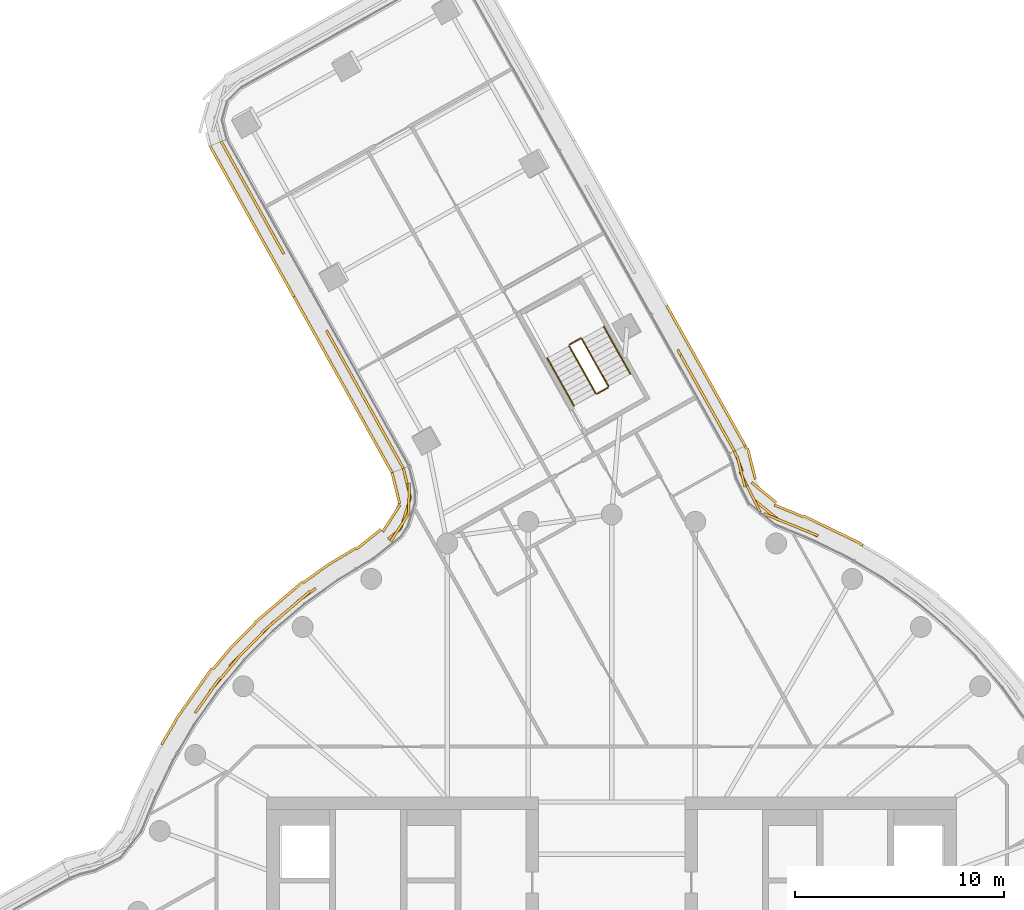
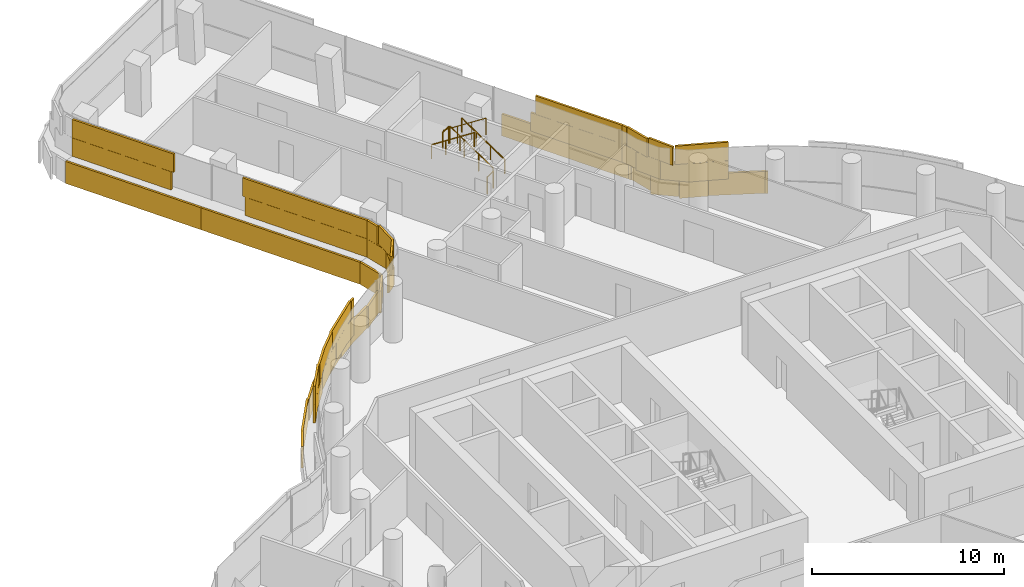
# One storey, part 33 of 34: 6 railings, 5 coverings.
"""IFC4 building model written with IfcOpenShell, lengths in metres."""

from ifc_helpers import new_model, si_unit, direction, frame, origin, origin_2d, place, context, subcontext, project, spatial, rectangle, circle, extrude, material, layer, layer_set, type_object, element, save


model = new_model("IFC4")

# Units and contexts
model_context = context("Model", 3, precision=1e-05, world=origin(), true_north=direction((0.0, 1.0)))
body_context = subcontext(model_context, "Body", "Model", "MODEL_VIEW")
ifc_project = project(units=[si_unit("LENGTHUNIT", "METRE"), si_unit("AREAUNIT", "SQUARE_METRE"), si_unit("VOLUMEUNIT", "CUBIC_METRE"), si_unit("PLANEANGLEUNIT", "RADIAN"), si_unit("MASSUNIT", "GRAM", prefix="KILO")], contexts=[model_context])

# Site, building, storey
site_placement = place(None, origin())
site = spatial("IfcSite", under=ifc_project, at=site_placement, CompositionType="ELEMENT")
building_placement = place(site_placement, origin())
building = spatial("IfcBuilding", under=site, at=building_placement, Name="Tamarind Cross Interchange Tower", CompositionType="ELEMENT")
storey_placement = place(building_placement, frame((0.0, 0.0, 140.5)))
storey = spatial("IfcBuildingStorey", under=building, at=storey_placement, Name="L34", CompositionType="ELEMENT", Elevation=140.5)

# Railings
ifc_material_1 = material(Name="Stair guard")
railing_type_1 = type_object("IfcRailingType", Name="Stair guard", PredefinedType="GUARDRAIL", material=ifc_material_1)
railing_1_placement = place(storey_placement, frame((-0.156005859375, 29.133544921875, 0.17041015625)))
element("IfcRailing", 1, at=railing_1_placement, inside=storey, type_object=railing_type_1, Name="L34 ST4 stair guard 1", PredefinedType="GUARDRAIL", context=body_context, shape_type="SweptSolid", body=[
    extrude(circle(Radius=0.02392578125, at=origin_2d()), frame((0.0, 0.0, 1.076171875), z_axis=(-0.408648978239, 0.729663010338, 0.54826809494), x_axis=(-0.872486801363, -0.488637679111, 0.0)), (0.0, 0.0, 1.0), 3.109130859375),
    extrude(circle(Radius=0.02099609375, at=origin_2d()), origin(), (0.0, 0.0, 1.0), 1.052001953125),
    extrude(circle(Radius=0.02099609375, at=origin_2d()), frame((-0.423583984375, 0.756103515625, 0.568115234375)), (0.0, 0.0, 1.0), 1.052001953125),
    extrude(circle(Radius=0.02099609375, at=origin_2d()), frame((-0.846923828125, 1.512451171875, 1.136474609375)), (0.0, 0.0, 1.0), 1.052001953125),
    extrude(circle(Radius=0.02099609375, at=origin_2d()), frame((-1.2705078125, 2.2685546875, 1.70458984375)), (0.0, 0.0, 1.0), 1.052001953125),
])
railing_2_placement = place(storey_placement, frame((-1.49462890625, 31.421142578125, 1.875)))
element("IfcRailing", 2, at=railing_2_placement, inside=storey, type_object=railing_type_1, Name="L34 ST4 stair guard 2", PredefinedType="GUARDRAIL", context=body_context, shape_type="SweptSolid", body=[
    extrude(circle(Radius=0.02392578125, at=origin_2d()), frame((0.0, 0.0, 1.076171875), z_axis=(-0.872443557744, -0.488714884725, 0.0), x_axis=(0.488714884725, -0.872443557744, 0.0)), (0.0, 0.0, 1.0), 0.599853515625),
    extrude(circle(Radius=0.02099609375, at=origin_2d()), origin(), (0.0, 0.0, 1.0), 1.052001953125),
    extrude(circle(Radius=0.02099609375, at=origin_2d()), frame((-0.5234375, -0.293212890625, 0.0)), (0.0, 0.0, 1.0), 1.052001953125),
])
railing_3_placement = place(storey_placement, frame((-2.037353515625, 31.059814453125, 2.04541015625)))
element("IfcRailing", 3, at=railing_3_placement, inside=storey, type_object=railing_type_1, Name="L34 ST4 stair guard 3", PredefinedType="GUARDRAIL", context=body_context, shape_type="SweptSolid", body=[
    extrude(circle(Radius=0.02392578125, at=origin_2d()), frame((0.0, 0.0, 1.076171875), z_axis=(0.408737805219, -0.72960287191, 0.548281912784), x_axis=(0.872424341696, 0.488749187227, 0.0)), (0.0, 0.0, 1.0), 3.10888671875),
    extrude(circle(Radius=0.02099609375, at=origin_2d()), origin(), (0.0, 0.0, 1.0), 1.052001953125),
    extrude(circle(Radius=0.02099609375, at=origin_2d()), frame((0.423583984375, -0.756103515625, 0.568115234375)), (0.0, 0.0, 1.0), 1.052001953125),
    extrude(circle(Radius=0.02099609375, at=origin_2d()), frame((0.84716796875, -1.51220703125, 1.136474609375)), (0.0, 0.0, 1.0), 1.052001953125),
    extrude(circle(Radius=0.02099609375, at=origin_2d()), frame((1.270751953125, -2.268310546875, 1.70458984375)), (0.0, 0.0, 1.0), 1.052001953125),
])
railing_4_placement = place(storey_placement, frame((-0.17529296875, 29.0654296875, 0.0)))
element("IfcRailing", 4, at=railing_4_placement, inside=storey, type_object=railing_type_1, Name="L34 ST4 stair guard 4", PredefinedType="GUARDRAIL", context=body_context, shape_type="SweptSolid", body=[
    extrude(circle(Radius=0.02392578125, at=origin_2d()), frame((0.0, 0.0, 1.076171875), z_axis=(-0.872443557744, -0.488714884725, 0.0), x_axis=(0.488714884725, -0.872443557744, 0.0)), (0.0, 0.0, 1.0), 0.599853515625),
    extrude(circle(Radius=0.02099609375, at=origin_2d()), origin(), (0.0, 0.0, 1.0), 1.052001953125),
    extrude(circle(Radius=0.02099609375, at=origin_2d()), frame((-0.5234375, -0.293212890625, 0.0)), (0.0, 0.0, 1.0), 1.052001953125),
])
ifc_material_2 = material(Name="Stair handrail")
railing_type_2 = type_object("IfcRailingType", Name="Stair handrail", PredefinedType="HANDRAIL", material=ifc_material_2)
railing_5_placement = place(storey_placement, frame((0.890869140625, 29.719970703125, 0.17041015625)))
element("IfcRailing", 5, at=railing_5_placement, inside=storey, type_object=railing_type_2, Name="L34 ST4 stair handrail 1", PredefinedType="HANDRAIL", context=body_context, shape_type="SweptSolid", body=[
    extrude(circle(Radius=0.02392578125, at=origin_2d()), frame((0.0, 0.0, 0.8759765625), z_axis=(-0.408648978239, 0.729663010338, 0.54826809494), x_axis=(-0.872486801363, -0.488637679111, 0.0)), (0.0, 0.0, 1.0), 3.109130859375),
    extrude(circle(Radius=0.02099609375, at=origin_2d()), origin(), (0.0, 0.0, 1.0), 0.851806640625),
    extrude(circle(Radius=0.02099609375, at=origin_2d()), frame((-0.423583984375, 0.756103515625, 0.568115234375)), (0.0, 0.0, 1.0), 0.851806640625),
    extrude(circle(Radius=0.02099609375, at=origin_2d()), frame((-0.846923828125, 1.512451171875, 1.136474609375)), (0.0, 0.0, 1.0), 0.851806640625),
    extrude(circle(Radius=0.02099609375, at=origin_2d()), frame((-1.2705078125, 2.2685546875, 1.70458984375)), (0.0, 0.0, 1.0), 0.851806640625),
])
railing_6_placement = place(storey_placement, frame((-3.084228515625, 30.473388671875, 2.04541015625)))
element("IfcRailing", 6, at=railing_6_placement, inside=storey, type_object=railing_type_2, Name="L34 ST4 stair handrail 2", PredefinedType="HANDRAIL", context=body_context, shape_type="SweptSolid", body=[
    extrude(circle(Radius=0.02392578125, at=origin_2d()), frame((0.0, 0.0, 0.8759765625), z_axis=(0.408672393545, -0.72962628909, 0.548299510325), x_axis=(0.87246437923, 0.488677712788, 0.0)), (0.0, 0.0, 1.0), 3.10888671875),
    extrude(circle(Radius=0.02099609375, at=origin_2d()), origin(), (0.0, 0.0, 1.0), 0.851806640625),
    extrude(circle(Radius=0.02099609375, at=origin_2d()), frame((0.423583984375, -0.756103515625, 0.568115234375)), (0.0, 0.0, 1.0), 0.851806640625),
    extrude(circle(Radius=0.02099609375, at=origin_2d()), frame((0.846923828125, -1.51220703125, 1.136474609375)), (0.0, 0.0, 1.0), 0.851806640625),
    extrude(circle(Radius=0.02099609375, at=origin_2d()), frame((1.2705078125, -2.268310546875, 1.70458984375)), (0.0, 0.0, 1.0), 0.851806640625),
])

# Coverings
ifc_material_3 = material(Name="Terracotta", Category="masonry")
ifc_layer = layer(ifc_material_3, 0.1201171875)
ifc_layer_set = layer_set([ifc_layer], Name="Terracotta")
covering_type = type_object("IfcCoveringType", Name="Terracotta baguette screen unit", PredefinedType="MOLDING", material=ifc_layer_set)
covering_1_placement = place(storey_placement, origin())
element("IfcCovering", 7, at=covering_1_placement, inside=storey, type_object=covering_type, Name="SCR-L34-10-01", PredefinedType="MOLDING", context=body_context, shape_type="SweptSolid", body=[
    extrude(rectangle(XDim=0.543701171875, YDim=0.1201171875, at=origin_2d()), frame((9.613037109375, 22.0830078125, 1.404052734375), z_axis=(0.0, 0.0, 1.0), x_axis=(-0.900272776334, 0.435326231914, 0.0)), (0.0, 0.0, 1.0), 1.1669921875),
    extrude(rectangle(XDim=1.52001953125, YDim=0.1201171875, at=origin_2d()), frame((8.672607421875, 22.469482421875, 1.404052734375), z_axis=(0.0, 0.0, 1.0), x_axis=(-0.925708802413, 0.378236980126, 0.0)), (0.0, 0.0, 1.0), 1.1669921875),
    extrude(rectangle(XDim=1.52001953125, YDim=0.1201171875, at=origin_2d()), frame((7.392822265625, 23.220458984375, 1.404052734375), z_axis=(0.0, 0.0, 1.0), x_axis=(-0.776369102739, 0.630278522807, 0.0)), (0.0, 0.0, 1.0), 1.1669921875),
    extrude(rectangle(XDim=1.52001953125, YDim=0.1201171875, at=origin_2d()), frame((6.47509765625, 24.3642578125, 1.404052734375), z_axis=(0.0, 0.0, 1.0), x_axis=(-0.448045105365, 0.894010952706, 0.0)), (0.0, 0.0, 1.0), 1.1669921875),
    extrude(rectangle(XDim=1.04443359375, YDim=0.1201171875, at=origin_2d()), frame((6.05859375, 25.553466796875, 1.404052734375), z_axis=(0.0, 0.0, 1.0), x_axis=(-0.37062876387, 0.928781093365, 0.0)), (0.0, 0.0, 1.0), 1.1669921875),
    extrude(rectangle(XDim=1.293701171875, YDim=0.1201171875, at=origin_2d()), frame((9.266845703125, 22.226806640625, 2.5791015625), z_axis=(0.0, 0.0, 1.0), x_axis=(-0.925708802413, 0.378236980126, 0.0)), (0.0, 0.0, 1.0), 1.1669921875),
    extrude(rectangle(XDim=1.52001953125, YDim=0.1201171875, at=origin_2d()), frame((7.978271484375, 22.753173828125, 2.5791015625), z_axis=(0.0, 0.0, 1.0), x_axis=(-0.925708802413, 0.378236980126, 0.0)), (0.0, 0.0, 1.0), 1.1669921875),
    extrude(rectangle(XDim=1.52001953125, YDim=0.1201171875, at=origin_2d()), frame((6.811279296875, 23.693603515625, 2.5791015625), z_axis=(0.0, 0.0, 1.0), x_axis=(-0.448045105365, 0.894010952706, 0.0)), (0.0, 0.0, 1.0), 1.1669921875),
    extrude(rectangle(XDim=1.52001953125, YDim=0.1201171875, at=origin_2d()), frame((6.18798828125, 25.052978515625, 2.5791015625), z_axis=(0.0, 0.0, 1.0), x_axis=(-0.246227723894, 0.969212003633, 0.0)), (0.0, 0.0, 1.0), 1.1669921875),
    extrude(rectangle(XDim=0.29443359375, YDim=0.1201171875, at=origin_2d()), frame((5.919677734375, 25.90185546875, 2.5791015625), z_axis=(0.0, 0.0, 1.0), x_axis=(-0.37062876387, 0.928781093365, 0.0)), (0.0, 0.0, 1.0), 1.1669921875),
    extrude(rectangle(XDim=0.1552734375, YDim=0.1201171875, at=origin_2d()), frame((11.9404296875, 21.5634765625, 0.00390625), z_axis=(0.0, 0.0, 1.0), x_axis=(-0.861248933065, 0.508183308752, 0.0)), (0.0, 0.0, 1.0), 1.39208984375),
    extrude(rectangle(XDim=1.52001953125, YDim=0.1201171875, at=origin_2d()), frame((11.2177734375, 21.944580078125, 0.00390625), z_axis=(0.0, 0.0, 1.0), x_axis=(-0.900272776334, 0.435326231914, 0.0)), (0.0, 0.0, 1.0), 1.39208984375),
    extrude(rectangle(XDim=1.52001953125, YDim=0.1201171875, at=origin_2d()), frame((9.867431640625, 22.597412109375, 0.00390625), z_axis=(0.0, 0.0, 1.0), x_axis=(-0.900272776334, 0.435326231914, 0.0)), (0.0, 0.0, 1.0), 1.39208984375),
    extrude(rectangle(XDim=1.52001953125, YDim=0.1201171875, at=origin_2d()), frame((8.48046875, 23.168212890625, 0.00390625), z_axis=(0.0, 0.0, 1.0), x_axis=(-0.925708802413, 0.378236980126, 0.0)), (0.0, 0.0, 1.0), 1.39208984375),
    extrude(rectangle(XDim=1.52001953125, YDim=0.1201171875, at=origin_2d()), frame((7.279296875, 24.052001953125, 0.00390625), z_axis=(0.0, 0.0, 1.0), x_axis=(-0.776369102739, 0.630278522807, 0.0)), (0.0, 0.0, 1.0), 1.39208984375),
    extrude(rectangle(XDim=1.52001953125, YDim=0.1201171875, at=origin_2d()), frame((6.686767578125, 25.4208984375, 0.00390625), z_axis=(0.0, 0.0, 1.0), x_axis=(-0.246227723894, 0.969212003633, 0.0)), (0.0, 0.0, 1.0), 1.39208984375),
    extrude(rectangle(XDim=0.173583984375, YDim=0.1201171875, at=origin_2d()), frame((6.418212890625, 26.201171875, 0.00390625), z_axis=(0.0, 0.0, 1.0), x_axis=(-0.37062876387, 0.928781093365, 0.0)), (0.0, 0.0, 1.0), 1.39208984375),
])
covering_2_placement = place(storey_placement, origin())
element("IfcCovering", 8, at=covering_2_placement, inside=storey, type_object=covering_type, Name="SCR-L34-11-00", PredefinedType="MOLDING", context=body_context, shape_type="SweptSolid", body=[
    extrude(rectangle(XDim=1.510009765625, YDim=0.1201171875, at=origin_2d()), frame((5.50048828125, 26.688232421875, 1.404052734375), z_axis=(0.0, 0.0, 1.0), x_axis=(-0.488688242939, 0.872458481082, 0.0)), (0.0, 0.0, 1.0), 1.1669921875),
    extrude(rectangle(XDim=1.52001953125, YDim=0.1201171875, at=origin_2d()), frame((4.767333984375, 27.9970703125, 1.404052734375), z_axis=(0.0, 0.0, 1.0), x_axis=(-0.488688242939, 0.872458481082, 0.0)), (0.0, 0.0, 1.0), 1.1669921875),
    extrude(rectangle(XDim=1.52001953125, YDim=0.1201171875, at=origin_2d()), frame((4.034423828125, 29.3056640625, 1.404052734375), z_axis=(0.0, 0.0, 1.0), x_axis=(-0.488688242939, 0.872458481082, 0.0)), (0.0, 0.0, 1.0), 1.1669921875),
    extrude(rectangle(XDim=1.05712890625, YDim=0.1201171875, at=origin_2d()), frame((3.411865234375, 30.416748046875, 1.404052734375), z_axis=(0.0, 0.0, 1.0), x_axis=(-0.488688242939, 0.872458481082, 0.0)), (0.0, 0.0, 1.0), 1.1669921875),
    extrude(rectangle(XDim=0.760009765625, YDim=0.1201171875, at=origin_2d()), frame((5.68359375, 26.361083984375, 2.5791015625), z_axis=(0.0, 0.0, 1.0), x_axis=(-0.488688242939, 0.872458481082, 0.0)), (0.0, 0.0, 1.0), 1.1669921875),
    extrude(rectangle(XDim=1.52001953125, YDim=0.1201171875, at=origin_2d()), frame((5.1337890625, 27.342529296875, 2.5791015625), z_axis=(0.0, 0.0, 1.0), x_axis=(-0.488688242939, 0.872458481082, 0.0)), (0.0, 0.0, 1.0), 1.1669921875),
    extrude(rectangle(XDim=1.52001953125, YDim=0.1201171875, at=origin_2d()), frame((4.40087890625, 28.6513671875, 2.5791015625), z_axis=(0.0, 0.0, 1.0), x_axis=(-0.488688242939, 0.872458481082, 0.0)), (0.0, 0.0, 1.0), 1.1669921875),
    extrude(rectangle(XDim=1.52001953125, YDim=0.1201171875, at=origin_2d()), frame((3.667724609375, 29.9599609375, 2.5791015625), z_axis=(0.0, 0.0, 1.0), x_axis=(-0.488688242939, 0.872458481082, 0.0)), (0.0, 0.0, 1.0), 1.1669921875),
    extrude(rectangle(XDim=1.510009765625, YDim=0.1201171875, at=origin_2d()), frame((6.01708984375, 26.9404296875, 0.00390625), z_axis=(0.0, 0.0, 1.0), x_axis=(-0.488688242939, 0.872458481082, 0.0)), (0.0, 0.0, 1.0), 1.39208984375),
    extrude(rectangle(XDim=1.52001953125, YDim=0.1201171875, at=origin_2d()), frame((5.28662109375, 28.24462890625, 0.00390625), z_axis=(0.0, 0.0, 1.0), x_axis=(-0.488688242939, 0.872458481082, 0.0)), (0.0, 0.0, 1.0), 1.39208984375),
    extrude(rectangle(XDim=1.52001953125, YDim=0.1201171875, at=origin_2d()), frame((4.553466796875, 29.553466796875, 0.00390625), z_axis=(0.0, 0.0, 1.0), x_axis=(-0.488688242939, 0.872458481082, 0.0)), (0.0, 0.0, 1.0), 1.39208984375),
    extrude(rectangle(XDim=1.52001953125, YDim=0.1201171875, at=origin_2d()), frame((3.820556640625, 30.862060546875, 0.00390625), z_axis=(0.0, 0.0, 1.0), x_axis=(-0.488688242939, 0.872458481082, 0.0)), (0.0, 0.0, 1.0), 1.39208984375),
    extrude(rectangle(XDim=1.52001953125, YDim=0.1201171875, at=origin_2d()), frame((3.08740234375, 32.170654296875, 0.00390625), z_axis=(0.0, 0.0, 1.0), x_axis=(-0.488688242939, 0.872458481082, 0.0)), (0.0, 0.0, 1.0), 1.39208984375),
    extrude(rectangle(XDim=0.19189453125, YDim=0.1201171875, at=origin_2d()), frame((2.678955078125, 32.900146484375, 0.00390625), z_axis=(0.0, 0.0, 1.0), x_axis=(-0.488688242939, 0.872458481082, 0.0)), (0.0, 0.0, 1.0), 1.39208984375),
])
covering_3_placement = place(storey_placement, origin())
element("IfcCovering", 9, at=covering_3_placement, inside=storey, type_object=covering_type, Name="SCR-L34-13-00", PredefinedType="MOLDING", context=body_context, shape_type="SweptSolid", body=[
    extrude(rectangle(XDim=1.510009765625, YDim=0.1201171875, at=origin_2d()), frame((-18.311767578125, 40.180908203125, 1.404052734375), z_axis=(0.0, 0.0, 1.0), x_axis=(0.486914520101, -0.873449626547, 0.0)), (0.0, 0.0, 1.0), 1.1669921875),
    extrude(rectangle(XDim=1.52001953125, YDim=0.1201171875, at=origin_2d()), frame((-17.581298828125, 38.87060546875, 1.404052734375), z_axis=(0.0, 0.0, 1.0), x_axis=(0.486914520101, -0.873449626547, 0.0)), (0.0, 0.0, 1.0), 1.1669921875),
    extrude(rectangle(XDim=1.52001953125, YDim=0.1201171875, at=origin_2d()), frame((-16.85107421875, 37.560546875, 1.404052734375), z_axis=(0.0, 0.0, 1.0), x_axis=(0.486914520101, -0.873449626547, 0.0)), (0.0, 0.0, 1.0), 1.1669921875),
    extrude(rectangle(XDim=1.52001953125, YDim=0.1201171875, at=origin_2d()), frame((-16.12060546875, 36.250244140625, 1.404052734375), z_axis=(0.0, 0.0, 1.0), x_axis=(0.486914520101, -0.873449626547, 0.0)), (0.0, 0.0, 1.0), 1.1669921875),
    extrude(rectangle(XDim=0.760009765625, YDim=0.1201171875, at=origin_2d()), frame((-18.494384765625, 40.50830078125, 2.5791015625), z_axis=(0.0, 0.0, 1.0), x_axis=(0.486914520101, -0.873449626547, 0.0)), (0.0, 0.0, 1.0), 1.1669921875),
    extrude(rectangle(XDim=1.52001953125, YDim=0.1201171875, at=origin_2d()), frame((-17.946533203125, 39.525634765625, 2.5791015625), z_axis=(0.0, 0.0, 1.0), x_axis=(0.486914520101, -0.873449626547, 0.0)), (0.0, 0.0, 1.0), 1.1669921875),
    extrude(rectangle(XDim=1.52001953125, YDim=0.1201171875, at=origin_2d()), frame((-17.21630859375, 38.215576171875, 2.5791015625), z_axis=(0.0, 0.0, 1.0), x_axis=(0.486914520101, -0.873449626547, 0.0)), (0.0, 0.0, 1.0), 1.1669921875),
    extrude(rectangle(XDim=1.52001953125, YDim=0.1201171875, at=origin_2d()), frame((-16.48583984375, 36.9052734375, 2.5791015625), z_axis=(0.0, 0.0, 1.0), x_axis=(0.486914520101, -0.873449626547, 0.0)), (0.0, 0.0, 1.0), 1.1669921875),
    extrude(rectangle(XDim=0.90869140625, YDim=0.1201171875, at=origin_2d()), frame((-15.90185546875, 35.85791015625, 2.5791015625), z_axis=(0.0, 0.0, 1.0), x_axis=(0.486914520101, -0.873449626547, 0.0)), (0.0, 0.0, 1.0), 1.1669921875),
    extrude(rectangle(XDim=1.510009765625, YDim=0.1201171875, at=origin_2d()), frame((-18.84716796875, 39.96240234375, 0.00390625), z_axis=(0.0, 0.0, 1.0), x_axis=(0.486914520101, -0.873449626547, 0.0)), (0.0, 0.0, 1.0), 1.39208984375),
    extrude(rectangle(XDim=1.52001953125, YDim=0.1201171875, at=origin_2d()), frame((-18.119140625, 38.65673828125, 0.00390625), z_axis=(0.0, 0.0, 1.0), x_axis=(0.486914520101, -0.873449626547, 0.0)), (0.0, 0.0, 1.0), 1.39208984375),
    extrude(rectangle(XDim=1.52001953125, YDim=0.1201171875, at=origin_2d()), frame((-17.388916015625, 37.346435546875, 0.00390625), z_axis=(0.0, 0.0, 1.0), x_axis=(0.486914520101, -0.873449626547, 0.0)), (0.0, 0.0, 1.0), 1.39208984375),
    extrude(rectangle(XDim=1.52001953125, YDim=0.1201171875, at=origin_2d()), frame((-16.658447265625, 36.036376953125, 0.00390625), z_axis=(0.0, 0.0, 1.0), x_axis=(0.486914520101, -0.873449626547, 0.0)), (0.0, 0.0, 1.0), 1.39208984375),
    extrude(rectangle(XDim=1.52001953125, YDim=0.1201171875, at=origin_2d()), frame((-15.92822265625, 34.72607421875, 0.00390625), z_axis=(0.0, 0.0, 1.0), x_axis=(0.486914520101, -0.873449626547, 0.0)), (0.0, 0.0, 1.0), 1.39208984375),
    extrude(rectangle(XDim=0.75732421875, YDim=0.1201171875, at=origin_2d()), frame((-15.383544921875, 33.7490234375, 0.00390625), z_axis=(0.0, 0.0, 1.0), x_axis=(0.486914520101, -0.873449626547, 0.0)), (0.0, 0.0, 1.0), 1.39208984375),
])
covering_4_placement = place(storey_placement, origin())
element("IfcCovering", 10, at=covering_4_placement, inside=storey, type_object=covering_type, Name="SCR-L34-13-01", PredefinedType="MOLDING", context=body_context, shape_type="SweptSolid", body=[
    extrude(rectangle(XDim=1.52001953125, YDim=0.1201171875, at=origin_2d()), frame((-13.19921875, 31.009521484375, 1.404052734375), z_axis=(0.0, 0.0, 1.0), x_axis=(0.486914520101, -0.873449626547, 0.0)), (0.0, 0.0, 1.0), 1.1669921875),
    extrude(rectangle(XDim=1.52001953125, YDim=0.1201171875, at=origin_2d()), frame((-12.46875, 29.699462890625, 1.404052734375), z_axis=(0.0, 0.0, 1.0), x_axis=(0.486914520101, -0.873449626547, 0.0)), (0.0, 0.0, 1.0), 1.1669921875),
    extrude(rectangle(XDim=1.52001953125, YDim=0.1201171875, at=origin_2d()), frame((-11.738525390625, 28.38916015625, 1.404052734375), z_axis=(0.0, 0.0, 1.0), x_axis=(0.486914520101, -0.873449626547, 0.0)), (0.0, 0.0, 1.0), 1.1669921875),
    extrude(rectangle(XDim=1.52001953125, YDim=0.1201171875, at=origin_2d()), frame((-11.008056640625, 27.0791015625, 1.404052734375), z_axis=(0.0, 0.0, 1.0), x_axis=(0.486914520101, -0.873449626547, 0.0)), (0.0, 0.0, 1.0), 1.1669921875),
    extrude(rectangle(XDim=1.403564453125, YDim=0.1201171875, at=origin_2d()), frame((-10.303466796875, 25.8154296875, 1.404052734375), z_axis=(0.0, 0.0, 1.0), x_axis=(0.486914520101, -0.873449626547, 0.0)), (0.0, 0.0, 1.0), 1.1669921875),
    extrude(rectangle(XDim=0.911376953125, YDim=0.1201171875, at=origin_2d()), frame((-13.418701171875, 31.4033203125, 2.5791015625), z_axis=(0.0, 0.0, 1.0), x_axis=(0.486914520101, -0.873449626547, 0.0)), (0.0, 0.0, 1.0), 1.1669921875),
    extrude(rectangle(XDim=1.52001953125, YDim=0.1201171875, at=origin_2d()), frame((-12.833984375, 30.3544921875, 2.5791015625), z_axis=(0.0, 0.0, 1.0), x_axis=(0.486914520101, -0.873449626547, 0.0)), (0.0, 0.0, 1.0), 1.1669921875),
    extrude(rectangle(XDim=1.52001953125, YDim=0.1201171875, at=origin_2d()), frame((-12.103515625, 29.04443359375, 2.5791015625), z_axis=(0.0, 0.0, 1.0), x_axis=(0.486914520101, -0.873449626547, 0.0)), (0.0, 0.0, 1.0), 1.1669921875),
    extrude(rectangle(XDim=1.52001953125, YDim=0.1201171875, at=origin_2d()), frame((-11.373291015625, 27.734130859375, 2.5791015625), z_axis=(0.0, 0.0, 1.0), x_axis=(0.486914520101, -0.873449626547, 0.0)), (0.0, 0.0, 1.0), 1.1669921875),
    extrude(rectangle(XDim=1.52001953125, YDim=0.1201171875, at=origin_2d()), frame((-10.642822265625, 26.424072265625, 2.5791015625), z_axis=(0.0, 0.0, 1.0), x_axis=(0.486914520101, -0.873449626547, 0.0)), (0.0, 0.0, 1.0), 1.1669921875),
    extrude(rectangle(XDim=0.653564453125, YDim=0.1201171875, at=origin_2d()), frame((-10.120849609375, 25.48779296875, 2.5791015625), z_axis=(0.0, 0.0, 1.0), x_axis=(0.486914520101, -0.873449626547, 0.0)), (0.0, 0.0, 1.0), 1.1669921875),
    extrude(rectangle(XDim=0.7626953125, YDim=0.1201171875, at=origin_2d()), frame((-15.013427734375, 33.085205078125, 0.00390625), z_axis=(0.0, 0.0, 1.0), x_axis=(0.486914520101, -0.873449626547, 0.0)), (0.0, 0.0, 1.0), 1.39208984375),
    extrude(rectangle(XDim=1.52001953125, YDim=0.1201171875, at=origin_2d()), frame((-14.46728515625, 32.105712890625, 0.00390625), z_axis=(0.0, 0.0, 1.0), x_axis=(0.486914520101, -0.873449626547, 0.0)), (0.0, 0.0, 1.0), 1.39208984375),
    extrude(rectangle(XDim=1.52001953125, YDim=0.1201171875, at=origin_2d()), frame((-13.737060546875, 30.795654296875, 0.00390625), z_axis=(0.0, 0.0, 1.0), x_axis=(0.486914520101, -0.873449626547, 0.0)), (0.0, 0.0, 1.0), 1.39208984375),
    extrude(rectangle(XDim=1.52001953125, YDim=0.1201171875, at=origin_2d()), frame((-13.006591796875, 29.4853515625, 0.00390625), z_axis=(0.0, 0.0, 1.0), x_axis=(0.486914520101, -0.873449626547, 0.0)), (0.0, 0.0, 1.0), 1.39208984375),
    extrude(rectangle(XDim=1.52001953125, YDim=0.1201171875, at=origin_2d()), frame((-12.2763671875, 28.17529296875, 0.00390625), z_axis=(0.0, 0.0, 1.0), x_axis=(0.486914520101, -0.873449626547, 0.0)), (0.0, 0.0, 1.0), 1.39208984375),
    extrude(rectangle(XDim=1.52001953125, YDim=0.1201171875, at=origin_2d()), frame((-11.5458984375, 26.864990234375, 0.00390625), z_axis=(0.0, 0.0, 1.0), x_axis=(0.486914520101, -0.873449626547, 0.0)), (0.0, 0.0, 1.0), 1.39208984375),
    extrude(rectangle(XDim=1.40087890625, YDim=0.1201171875, at=origin_2d()), frame((-10.844482421875, 25.60693359375, 0.00390625), z_axis=(0.0, 0.0, 1.0), x_axis=(0.486914520101, -0.873449626547, 0.0)), (0.0, 0.0, 1.0), 1.39208984375),
])
covering_5_placement = place(storey_placement, origin())
element("IfcCovering", 11, at=covering_5_placement, inside=storey, type_object=covering_type, Name="SCR-L34-14-00", PredefinedType="MOLDING", context=body_context, shape_type="SweptSolid", body=[
    extrude(rectangle(XDim=1.510009765625, YDim=0.1201171875, at=origin_2d()), frame((-9.786376953125, 24.47802734375, 1.404052734375), z_axis=(0.0, 0.0, 1.0), x_axis=(0.237190354523, -0.971463193189, 0.0)), (0.0, 0.0, 1.0), 1.1669921875),
    extrude(rectangle(XDim=1.52001953125, YDim=0.1201171875, at=origin_2d()), frame((-9.873046875, 23.0166015625, 1.404052734375), z_axis=(0.0, 0.0, 1.0), x_axis=(-0.298149375979, -0.954519224324, 0.0)), (0.0, 0.0, 1.0), 1.1669921875),
    extrude(rectangle(XDim=0.748046875, YDim=0.1201171875, at=origin_2d()), frame((-10.4052734375, 22.057861328125, 1.404052734375), z_axis=(0.0, 0.0, 1.0), x_axis=(-0.779859200048, -0.625954972902, 0.0)), (0.0, 0.0, 1.0), 1.1669921875),
    extrude(rectangle(XDim=1.072021484375, YDim=0.1201171875, at=origin_2d()), frame((-14.58642578125, 19.15185546875, 1.404052734375), z_axis=(0.0, 0.0, 1.0), x_axis=(-0.811340475102, -0.584573890505, 0.0)), (0.0, 0.0, 1.0), 1.1669921875),
    extrude(rectangle(XDim=1.52001953125, YDim=0.1201171875, at=origin_2d()), frame((-15.57861328125, 18.3427734375, 1.404052734375), z_axis=(0.0, 0.0, 1.0), x_axis=(-0.760295606781, -0.64957723968, 0.0)), (0.0, 0.0, 1.0), 1.1669921875),
    extrude(rectangle(XDim=1.52001953125, YDim=0.1201171875, at=origin_2d()), frame((-16.694580078125, 17.342041015625, 1.404052734375), z_axis=(0.0, 0.0, 1.0), x_axis=(-0.704057148523, -0.710143317658, 0.0)), (0.0, 0.0, 1.0), 1.1669921875),
    extrude(rectangle(XDim=1.52001953125, YDim=0.1201171875, at=origin_2d()), frame((-17.750732421875, 16.27685546875, 1.404052734375), z_axis=(0.0, 0.0, 1.0), x_axis=(-0.704057148523, -0.710143317658, 0.0)), (0.0, 0.0, 1.0), 1.1669921875),
    extrude(rectangle(XDim=1.52001953125, YDim=0.1201171875, at=origin_2d()), frame((-18.71875, 15.13134765625, 1.404052734375), z_axis=(0.0, 0.0, 1.0), x_axis=(-0.643009266048, -0.765858396687, 0.0)), (0.0, 0.0, 1.0), 1.1669921875),
    extrude(rectangle(XDim=1.2763671875, YDim=0.1201171875, at=origin_2d()), frame((-19.553466796875, 14.02978515625, 1.404052734375), z_axis=(0.0, 0.0, 1.0), x_axis=(-0.577568978284, -0.816341886298, 0.0)), (0.0, 0.0, 1.0), 1.1669921875),
    extrude(rectangle(XDim=0.760009765625, YDim=0.1201171875, at=origin_2d()), frame((-9.875244140625, 24.84228515625, 2.5791015625), z_axis=(0.0, 0.0, 1.0), x_axis=(0.237190354523, -0.971463193189, 0.0)), (0.0, 0.0, 1.0), 1.1669921875),
    extrude(rectangle(XDim=1.52001953125, YDim=0.1201171875, at=origin_2d()), frame((-9.6962890625, 23.740478515625, 2.5791015625), z_axis=(0.0, 0.0, 1.0), x_axis=(-0.031635029539, -0.999499487197, 0.0)), (0.0, 0.0, 1.0), 1.1669921875),
    extrude(rectangle(XDim=1.498046875, YDim=0.1201171875, at=origin_2d()), frame((-10.1640625, 22.3388671875, 2.5791015625), z_axis=(0.0, 0.0, 1.0), x_axis=(-0.542882979993, -0.839808353158, 0.0)), (0.0, 0.0, 1.0), 1.1669921875),
    extrude(rectangle(XDim=0.322021484375, YDim=0.1201171875, at=origin_2d()), frame((-14.2822265625, 19.370849609375, 2.5791015625), z_axis=(0.0, 0.0, 1.0), x_axis=(-0.811340475102, -0.584573890505, 0.0)), (0.0, 0.0, 1.0), 1.1669921875),
    extrude(rectangle(XDim=1.52001953125, YDim=0.1201171875, at=origin_2d()), frame((-15.00830078125, 18.830078125, 2.5791015625), z_axis=(0.0, 0.0, 1.0), x_axis=(-0.760295606781, -0.64957723968, 0.0)), (0.0, 0.0, 1.0), 1.1669921875),
    extrude(rectangle(XDim=1.52001953125, YDim=0.1201171875, at=origin_2d()), frame((-16.14892578125, 17.855712890625, 2.5791015625), z_axis=(0.0, 0.0, 1.0), x_axis=(-0.760295606781, -0.64957723968, 0.0)), (0.0, 0.0, 1.0), 1.1669921875),
    extrude(rectangle(XDim=1.52001953125, YDim=0.1201171875, at=origin_2d()), frame((-17.22265625, 16.8095703125, 2.5791015625), z_axis=(0.0, 0.0, 1.0), x_axis=(-0.704057148523, -0.710143317658, 0.0)), (0.0, 0.0, 1.0), 1.1669921875),
    extrude(rectangle(XDim=1.52001953125, YDim=0.1201171875, at=origin_2d()), frame((-18.236572265625, 15.70556640625, 2.5791015625), z_axis=(0.0, 0.0, 1.0), x_axis=(-0.643009266048, -0.765858396687, 0.0)), (0.0, 0.0, 1.0), 1.1669921875),
    extrude(rectangle(XDim=1.52001953125, YDim=0.1201171875, at=origin_2d()), frame((-19.187744140625, 14.546630859375, 2.5791015625), z_axis=(0.0, 0.0, 1.0), x_axis=(-0.577568978284, -0.816341886298, 0.0)), (0.0, 0.0, 1.0), 1.1669921875),
    extrude(rectangle(XDim=0.5263671875, YDim=0.1201171875, at=origin_2d()), frame((-19.77001953125, 13.7236328125, 2.5791015625), z_axis=(0.0, 0.0, 1.0), x_axis=(-0.577568978284, -0.816341886298, 0.0)), (0.0, 0.0, 1.0), 1.1669921875),
    extrude(rectangle(XDim=1.510009765625, YDim=0.1201171875, at=origin_2d()), frame((-10.324462890625, 24.26171875, 0.00390625), z_axis=(0.0, 0.0, 1.0), x_axis=(0.237190354523, -0.971463193189, 0.0)), (0.0, 0.0, 1.0), 1.39208984375),
    extrude(rectangle(XDim=1.52001953125, YDim=0.1201171875, at=origin_2d()), frame((-10.53955078125, 22.8154296875, 0.00390625), z_axis=(0.0, 0.0, 1.0), x_axis=(-0.542882979993, -0.839808353158, 0.0)), (0.0, 0.0, 1.0), 1.39208984375),
    extrude(rectangle(XDim=1.52001953125, YDim=0.1201171875, at=origin_2d()), frame((-11.63330078125, 21.80810546875, 0.00390625), z_axis=(0.0, 0.0, 1.0), x_axis=(-0.779859200048, -0.625954972902, 0.0)), (0.0, 0.0, 1.0), 1.39208984375),
    extrude(rectangle(XDim=1.52001953125, YDim=0.1201171875, at=origin_2d()), frame((-12.89306640625, 20.998046875, 0.00390625), z_axis=(0.0, 0.0, 1.0), x_axis=(-0.856843065292, -0.515577308909, 0.0)), (0.0, 0.0, 1.0), 1.39208984375),
    extrude(rectangle(XDim=1.52001953125, YDim=0.1201171875, at=origin_2d()), frame((-14.146484375, 20.17626953125, 0.00390625), z_axis=(0.0, 0.0, 1.0), x_axis=(-0.811340475102, -0.584573890505, 0.0)), (0.0, 0.0, 1.0), 1.39208984375),
    extrude(rectangle(XDim=1.52001953125, YDim=0.1201171875, at=origin_2d()), frame((-15.35498046875, 19.288818359375, 0.00390625), z_axis=(0.0, 0.0, 1.0), x_axis=(-0.760295606781, -0.64957723968, 0.0)), (0.0, 0.0, 1.0), 1.39208984375),
    extrude(rectangle(XDim=1.52001953125, YDim=0.1201171875, at=origin_2d()), frame((-16.495361328125, 18.314453125, 0.00390625), z_axis=(0.0, 0.0, 1.0), x_axis=(-0.760295606781, -0.64957723968, 0.0)), (0.0, 0.0, 1.0), 1.39208984375),
    extrude(rectangle(XDim=1.52001953125, YDim=0.1201171875, at=origin_2d()), frame((-17.572509765625, 17.27197265625, 0.00390625), z_axis=(0.0, 0.0, 1.0), x_axis=(-0.704057148523, -0.710143317658, 0.0)), (0.0, 0.0, 1.0), 1.39208984375),
    extrude(rectangle(XDim=1.52001953125, YDim=0.1201171875, at=origin_2d()), frame((-18.5927734375, 16.173828125, 0.00390625), z_axis=(0.0, 0.0, 1.0), x_axis=(-0.643009266048, -0.765858396687, 0.0)), (0.0, 0.0, 1.0), 1.39208984375),
    extrude(rectangle(XDim=1.52001953125, YDim=0.1201171875, at=origin_2d()), frame((-19.55419921875, 15.022705078125, 0.00390625), z_axis=(0.0, 0.0, 1.0), x_axis=(-0.577568978284, -0.816341886298, 0.0)), (0.0, 0.0, 1.0), 1.39208984375),
    extrude(rectangle(XDim=1.52001953125, YDim=0.1201171875, at=origin_2d()), frame((-20.42041015625, 13.798095703125, 0.00390625), z_axis=(0.0, 0.0, 1.0), x_axis=(-0.577568978284, -0.816341886298, 0.0)), (0.0, 0.0, 1.0), 1.39208984375),
    extrude(rectangle(XDim=1.36474609375, YDim=0.1201171875, at=origin_2d()), frame((-21.17724609375, 12.59521484375, 0.00390625), z_axis=(0.0, 0.0, 1.0), x_axis=(-0.508183308752, -0.861248933065, 0.0)), (0.0, 0.0, 1.0), 1.39208984375),
])

save(model, "model.ifc")
